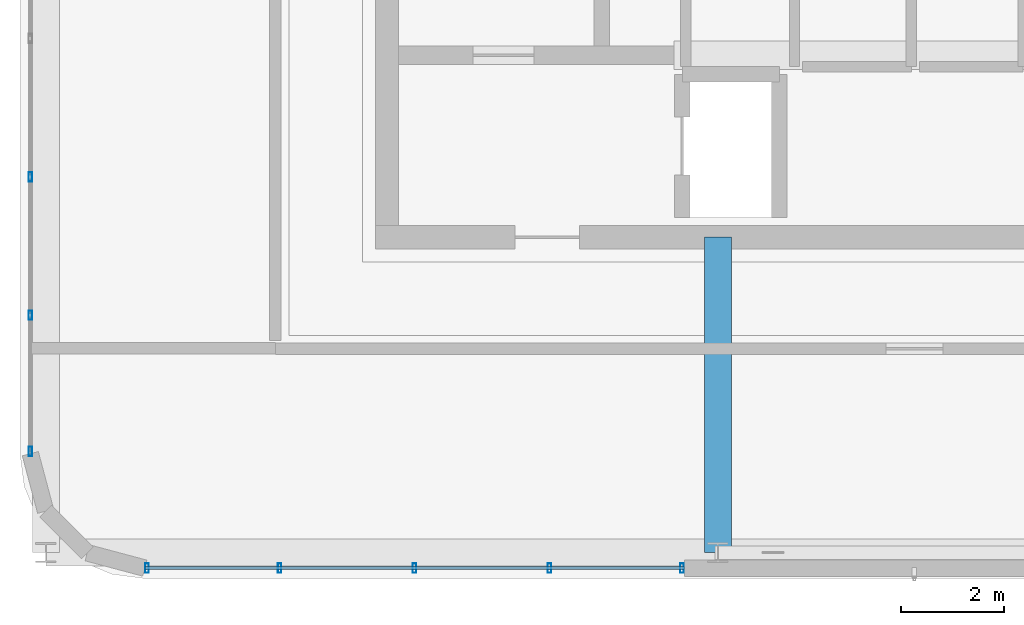
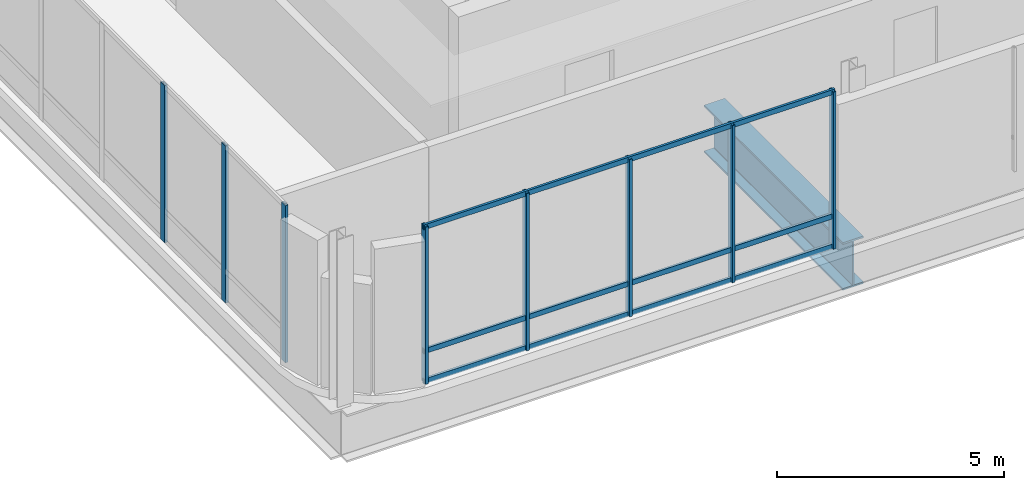
# One storey, part 2 of 25: 11 members, 1 beam, 2 elements without a shape of their own.
"""IFC4 building model written with IfcOpenShell, lengths in metres."""

from ifc_helpers import new_model, si_unit, direction, frame, origin, origin_2d, place, context, subcontext, project, spatial, hollow_rectangle, i_section, extrude, material, material_profile, profile_set, type_object, element, aggregate, save


model = new_model("IFC4")

# Units and contexts
model_context = context("Model", 3, precision=1e-05, world=origin(), true_north=direction((0.0, 1.0)))
body_context = subcontext(model_context, "Body", "Model", "MODEL_VIEW")
ifc_project = project(units=[si_unit("LENGTHUNIT", "METRE"), si_unit("AREAUNIT", "SQUARE_METRE"), si_unit("VOLUMEUNIT", "CUBIC_METRE"), si_unit("PLANEANGLEUNIT", "RADIAN"), si_unit("MASSUNIT", "GRAM", prefix="KILO")], contexts=[model_context])

# Site, building, storey
site_placement = place(None, origin())
site = spatial("IfcSite", under=ifc_project, at=site_placement, CompositionType="ELEMENT")
building_placement = place(site_placement, origin())
building = spatial("IfcBuilding", under=site, at=building_placement, Name="Punatoya Terracotta Tower", CompositionType="ELEMENT")
storey_placement = place(building_placement, frame((0.0, 0.0, 357.300048828125)))
storey = spatial("IfcBuildingStorey", under=building, at=storey_placement, Name="L84", CompositionType="ELEMENT", Elevation=357.300048828125)

# Beam
ifc_material_1 = material(Name="Steel S460", Category="steel")
ifc_material_profile_1 = material_profile(ifc_material_1, i_section(OverallWidth=0.52001953125, OverallDepth=1.280029296875, WebThickness=0.031982421875, FlangeThickness=0.050048828125, FilletRadius=0.01806640625, at=origin_2d()))
ifc_profile_set_1 = profile_set([ifc_material_profile_1], Name="Steel S460")
beam_type = type_object("IfcBeamType", Name="BM-TG-NCK", PredefinedType="BEAM", material=ifc_profile_set_1)
beam_placement = place(storey_placement, frame((-3.800048828125, -15.300048828125, -0.860107421875), z_axis=(0.0, 1.0, 0.0), x_axis=(-1.0, 0.0, 0.0)))
element("IfcBeam", 1, at=beam_placement, inside=storey, type_object=beam_type, Name="BM-L84-CS1", PredefinedType="BEAM", context=body_context, shape_type="SweptSolid", body=[
    extrude(i_section(OverallWidth=0.52001953125, OverallDepth=1.280029296875, WebThickness=0.031982421875, FlangeThickness=0.050048828125, FilletRadius=0.01806640625, at=origin_2d()), origin(), (0.0, 0.0, 1.0), 6.10009765625),
])

# Curtain wall, members
ifc_material_2 = material(Name="Aluminium 6063-T6 + Double Low-E Glass", Category="aluminium")
curtain_wall_type = type_object("IfcCurtainWallType", Name="CW-CRN", PredefinedType="NOTDEFINED", material=ifc_material_2)
curtain_wall_1_placement = place(storey_placement, origin())
curtain_wall_1 = element("IfcCurtainWall", 2, at=curtain_wall_1_placement, inside=storey, type_object=curtain_wall_type, Name="L84 Curtain Wall CW-L84-S01-1", PredefinedType="NOTDEFINED")
ifc_material_3 = material(Name="Aluminium 6063-T6", Category="aluminium")
ifc_material_profile_2 = material_profile(ifc_material_3, hollow_rectangle(XDim=0.070068359375, YDim=0.179931640625, WallThickness=0.00390625, at=origin_2d()))
ifc_profile_set_2 = profile_set([ifc_material_profile_2], Name="Aluminium 6063-T6")
member_type_1 = type_object("IfcMemberType", Name="CW-MUL-M3", PredefinedType="MULLION", material=ifc_profile_set_2)
member_1_placement = place(storey_placement, frame((-14.841796875, -15.60009765625, 0.0), z_axis=(0.0, 0.0, 1.0), x_axis=(1.0, 0.0, 0.0)))
member_1 = element("IfcMember", 3, at=member_1_placement, type_object=member_type_1, Name="CW-L84-S01-1 Mullion 00", PredefinedType="MULLION", context=body_context, shape_type="SweptSolid", body=[
    extrude(hollow_rectangle(XDim=0.070068359375, YDim=0.179931640625, WallThickness=0.00390625, at=origin_2d()), origin(), (0.0, 0.0, 1.0), 4.219970703125),
])
member_2_placement = place(storey_placement, frame((-12.277587890625, -15.60009765625, 0.0), z_axis=(0.0, 0.0, 1.0), x_axis=(1.0, 0.0, 0.0)))
member_2 = element("IfcMember", 4, at=member_2_placement, type_object=member_type_1, Name="CW-L84-S01-1 Mullion 01", PredefinedType="MULLION", context=body_context, shape_type="SweptSolid", body=[
    extrude(hollow_rectangle(XDim=0.070068359375, YDim=0.179931640625, WallThickness=0.00390625, at=origin_2d()), origin(), (0.0, 0.0, 1.0), 4.219970703125),
])
member_3_placement = place(storey_placement, frame((-9.66845703125, -15.60009765625, 0.0), z_axis=(0.0, 0.0, 1.0), x_axis=(1.0, 0.0, 0.0)))
member_3 = element("IfcMember", 5, at=member_3_placement, type_object=member_type_1, Name="CW-L84-S01-1 Mullion 02", PredefinedType="MULLION", context=body_context, shape_type="SweptSolid", body=[
    extrude(hollow_rectangle(XDim=0.070068359375, YDim=0.179931640625, WallThickness=0.00390625, at=origin_2d()), origin(), (0.0, 0.0, 1.0), 4.219970703125),
])
member_4_placement = place(storey_placement, frame((-7.05908203125, -15.60009765625, 0.0), z_axis=(0.0, 0.0, 1.0), x_axis=(1.0, 0.0, 0.0)))
member_4 = element("IfcMember", 6, at=member_4_placement, type_object=member_type_1, Name="CW-L84-S01-1 Mullion 03", PredefinedType="MULLION", context=body_context, shape_type="SweptSolid", body=[
    extrude(hollow_rectangle(XDim=0.070068359375, YDim=0.179931640625, WallThickness=0.00390625, at=origin_2d()), origin(), (0.0, 0.0, 1.0), 4.219970703125),
])
member_5_placement = place(storey_placement, frame((-4.4951171875, -15.60009765625, 0.0), z_axis=(0.0, 0.0, 1.0), x_axis=(1.0, 0.0, 0.0)))
member_5 = element("IfcMember", 7, at=member_5_placement, type_object=member_type_1, Name="CW-L84-S01-1 Mullion 04", PredefinedType="MULLION", context=body_context, shape_type="SweptSolid", body=[
    extrude(hollow_rectangle(XDim=0.070068359375, YDim=0.179931640625, WallThickness=0.00390625, at=origin_2d()), origin(), (0.0, 0.0, 1.0), 4.219970703125),
])

curtain_wall_2_placement = place(storey_placement, origin())
curtain_wall_2 = element("IfcCurtainWall", 8, at=curtain_wall_2_placement, inside=storey, type_object=curtain_wall_type, Name="L84 Curtain Wall CW-L84-W13-1", PredefinedType="NOTDEFINED")
member_6_placement = place(storey_placement, frame((-17.10009765625, -8.031982421875, 0.0), z_axis=(0.0, 0.0, 1.0), x_axis=(1.0, 0.0, 0.0)))
member_6 = element("IfcMember", 9, at=member_6_placement, type_object=member_type_1, Name="CW-L84-W13-1 Mullion 08", PredefinedType="MULLION", context=body_context, shape_type="SweptSolid", body=[
    extrude(hollow_rectangle(XDim=0.070068359375, YDim=0.179931640625, WallThickness=0.00390625, at=origin_2d()), origin(), (0.0, 0.0, 1.0), 4.219970703125),
])
member_7_placement = place(storey_placement, frame((-17.10009765625, -10.70947265625, 0.0), z_axis=(0.0, 0.0, 1.0), x_axis=(1.0, 0.0, 0.0)))
member_7 = element("IfcMember", 10, at=member_7_placement, type_object=member_type_1, Name="CW-L84-W13-1 Mullion 09", PredefinedType="MULLION", context=body_context, shape_type="SweptSolid", body=[
    extrude(hollow_rectangle(XDim=0.070068359375, YDim=0.179931640625, WallThickness=0.00390625, at=origin_2d()), origin(), (0.0, 0.0, 1.0), 4.219970703125),
])
member_8_placement = place(storey_placement, frame((-17.10009765625, -13.341796875, 0.0), z_axis=(0.0, 0.0, 1.0), x_axis=(1.0, 0.0, 0.0)))
member_8 = element("IfcMember", 11, at=member_8_placement, type_object=member_type_1, Name="CW-L84-W13-1 Mullion 10", PredefinedType="MULLION", context=body_context, shape_type="SweptSolid", body=[
    extrude(hollow_rectangle(XDim=0.070068359375, YDim=0.179931640625, WallThickness=0.00390625, at=origin_2d()), origin(), (0.0, 0.0, 1.0), 4.219970703125),
])
aggregate(curtain_wall_2, [member_6, member_7, member_8])

# Member
ifc_material_profile_3 = material_profile(ifc_material_3, hollow_rectangle(XDim=0.06201171875, YDim=0.135009765625, WallThickness=0.00390625, at=origin_2d()))
ifc_profile_set_3 = profile_set([ifc_material_profile_3], Name="Aluminium 6063-T6")
member_type_2 = type_object("IfcMemberType", Name="CW-TRN-CRN", PredefinedType="USERDEFINED", material=ifc_profile_set_3)
member_9_placement = place(storey_placement, frame((-14.886962890625, -15.60009765625, 0.0400390625), z_axis=(1.0, 0.0, 0.0), x_axis=(0.0, 1.0, 0.0)))
member_9 = element("IfcMember", 12, at=member_9_placement, type_object=member_type_2, Name="CW-L84-S01-1 Transom 1", ObjectType="TRANSOM", PredefinedType="USERDEFINED", context=body_context, shape_type="SweptSolid", body=[
    extrude(hollow_rectangle(XDim=0.06201171875, YDim=0.135009765625, WallThickness=0.00390625, at=origin_2d()), origin(), (0.0, 0.0, 1.0), 10.43701171875),
])

member_10_placement = place(storey_placement, frame((-14.886962890625, -15.60009765625, 0.849853515625), z_axis=(1.0, 0.0, 0.0), x_axis=(0.0, 1.0, 0.0)))
member_10 = element("IfcMember", 13, at=member_10_placement, type_object=member_type_2, Name="CW-L84-S01-1 Transom 2", ObjectType="TRANSOM", PredefinedType="USERDEFINED", context=body_context, shape_type="SweptSolid", body=[
    extrude(hollow_rectangle(XDim=0.06201171875, YDim=0.135009765625, WallThickness=0.00390625, at=origin_2d()), origin(), (0.0, 0.0, 1.0), 10.43701171875),
])

member_11_placement = place(storey_placement, frame((-14.886962890625, -15.60009765625, 4.179931640625), z_axis=(1.0, 0.0, 0.0), x_axis=(0.0, 1.0, 0.0)))
member_11 = element("IfcMember", 14, at=member_11_placement, type_object=member_type_2, Name="CW-L84-S01-1 Transom 3", ObjectType="TRANSOM", PredefinedType="USERDEFINED", context=body_context, shape_type="SweptSolid", body=[
    extrude(hollow_rectangle(XDim=0.06201171875, YDim=0.135009765625, WallThickness=0.00390625, at=origin_2d()), origin(), (0.0, 0.0, 1.0), 10.43701171875),
])

aggregate(curtain_wall_1, [member_1, member_2, member_3, member_4, member_5, member_9, member_10, member_11])

save(model, "model.ifc")
